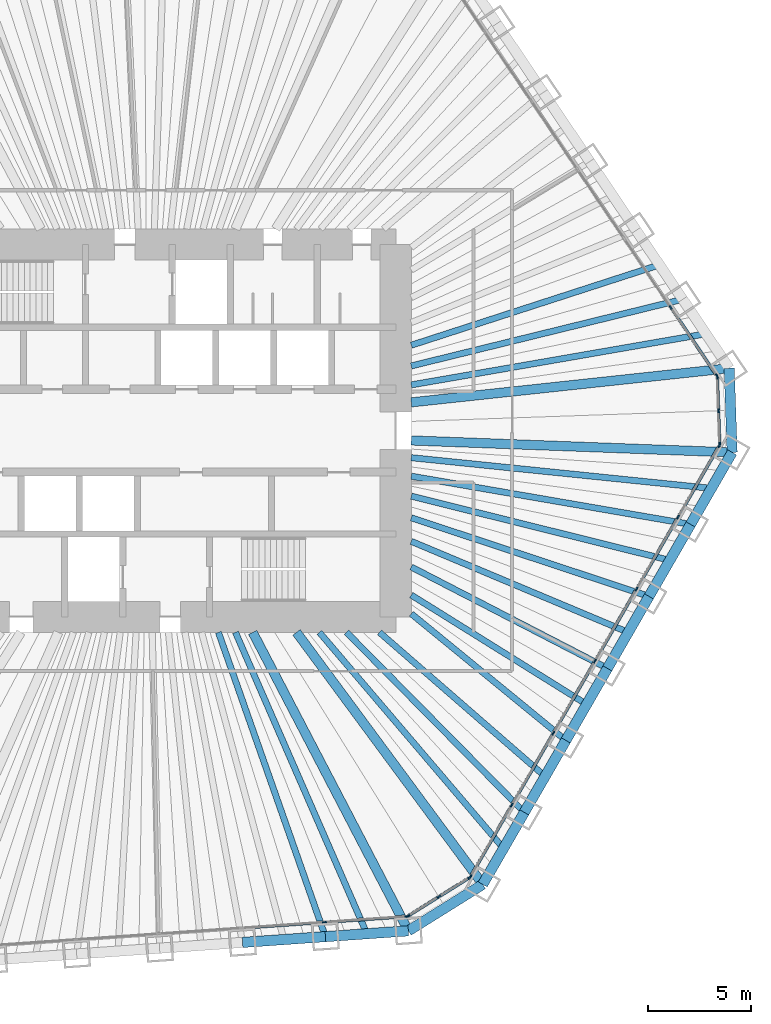
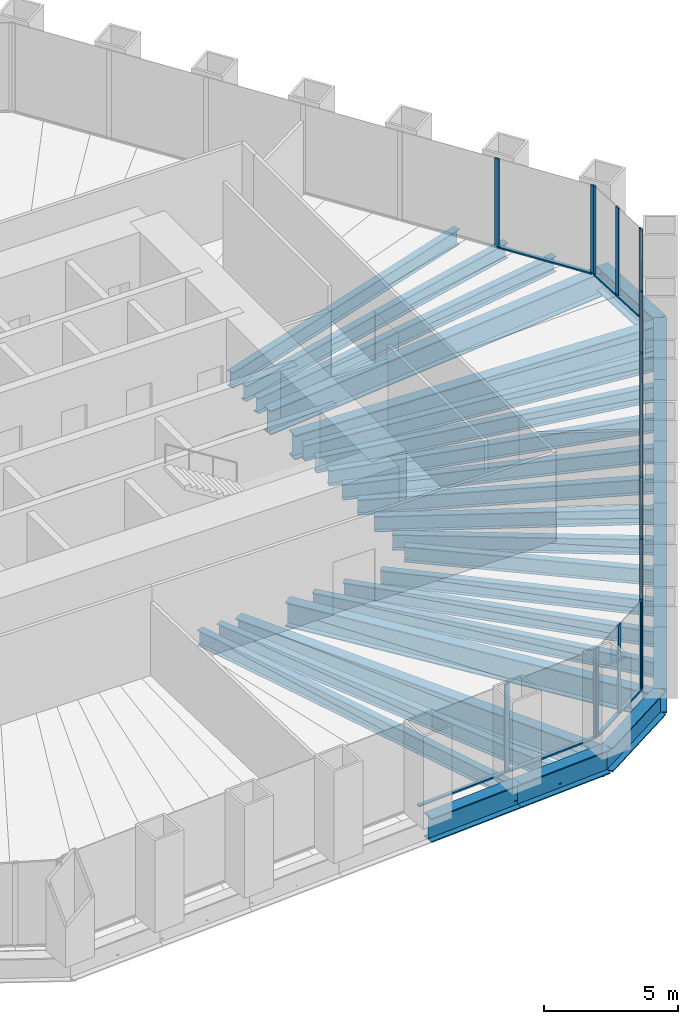
# One storey, part 4 of 13: 30 beams, 30 members, 5 elements without a shape of their own.
"""IFC4 building model written with IfcOpenShell, lengths in metres."""

from ifc_helpers import new_model, si_unit, direction, frame, origin, origin_2d, place, context, subcontext, project, spatial, rectangle, i_section, extrude, material, material_profile, profile_set, type_object, element, aggregate, save


model = new_model("IFC4")

# Units and contexts
model_context = context("Model", 3, precision=1e-05, world=origin(), true_north=direction((0.0, 1.0)))
body_context = subcontext(model_context, "Body", "Model", "MODEL_VIEW")
ifc_project = project(units=[si_unit("LENGTHUNIT", "METRE"), si_unit("AREAUNIT", "SQUARE_METRE"), si_unit("VOLUMEUNIT", "CUBIC_METRE"), si_unit("PLANEANGLEUNIT", "RADIAN"), si_unit("MASSUNIT", "GRAM", prefix="KILO")], contexts=[model_context])

# Site, building, storey
site_placement = place(None, origin())
site = spatial("IfcSite", under=ifc_project, at=site_placement, CompositionType="ELEMENT")
building_placement = place(site_placement, origin())
building = spatial("IfcBuilding", under=site, at=building_placement, Name="Qingtian Harvest Tower", CompositionType="ELEMENT")
storey_placement = place(building_placement, frame((0.0, 0.0, 145.0)))
storey = spatial("IfcBuildingStorey", under=building, at=storey_placement, Name="L30", CompositionType="ELEMENT", Elevation=145.0)

# Beams
ifc_material_1 = material(Name="Steel SM570MC", Category="steel")
ifc_material_profile_1 = material_profile(ifc_material_1, i_section(OverallWidth=0.449951171875, OverallDepth=1.10009765625, WebThickness=0.02197265625, FlangeThickness=0.044921875, at=origin_2d()), Name="H1100x450x22x45")
ifc_profile_set_1 = profile_set([ifc_material_profile_1], Name="Steel SM570MC")
beam_type_1 = type_object("IfcBeamType", Name="Corner floor beam FB8 H1100x450x22x45", PredefinedType="BEAM", material=ifc_profile_set_1)
beam_1_placement = place(storey_placement, frame((28.119384765625, 3.0185546875, -0.719970703125), z_axis=(-0.994287324052, -0.106736672374, 0.0), x_axis=(0.106736672374, -0.994287324052, 0.0)))
element("IfcBeam", 1, at=beam_1_placement, inside=storey, type_object=beam_type_1, Name="Floor beam FB8 NE6", PredefinedType="BEAM", context=body_context, shape_type="SweptSolid", body=[
    extrude(i_section(OverallWidth=0.449951171875, OverallDepth=1.10009765625, WebThickness=0.02197265625, FlangeThickness=0.044921875, at=origin_2d()), origin(), (0.0, 0.0, 1.0), 15.457763671875),
])
beam_2_placement = place(storey_placement, frame((28.261474609375, -1.049560546875, -0.719970703125), z_axis=(-0.999311425285, 0.03710357523, 0.0), x_axis=(-0.03710357523, -0.999311425285, 0.0)))
element("IfcBeam", 2, at=beam_2_placement, inside=storey, type_object=beam_type_1, Name="Floor beam FB8 SE0", PredefinedType="BEAM", context=body_context, shape_type="SweptSolid", body=[
    extrude(i_section(OverallWidth=0.449951171875, OverallDepth=1.10009765625, WebThickness=0.02197265625, FlangeThickness=0.044921875, at=origin_2d()), origin(), (0.0, 0.0, 1.0), 15.522216796875),
])
beam_3_placement = place(storey_placement, frame((16.204345703125, -21.933349609375, -0.719970703125), z_axis=(-0.594215666968, 0.804305751023, 0.0), x_axis=(-0.804305751023, -0.594215666968, 0.0)))
element("IfcBeam", 3, at=beam_3_placement, inside=storey, type_object=beam_type_1, Name="Floor beam FB8 SE6", PredefinedType="BEAM", context=body_context, shape_type="SweptSolid", body=[
    extrude(i_section(OverallWidth=0.449951171875, OverallDepth=1.10009765625, WebThickness=0.02197265625, FlangeThickness=0.044921875, at=origin_2d()), origin(), (0.0, 0.0, 1.0), 15.147705078125),
])
beam_4_placement = place(storey_placement, frame((12.610107421875, -24.17919921875, -0.719970703125), z_axis=(-0.462414751295, 0.886663745613, 0.0), x_axis=(-0.886663745613, -0.462414751295, 0.0)))
element("IfcBeam", 4, at=beam_4_placement, inside=storey, type_object=beam_type_1, Name="Floor beam FB8 S0", PredefinedType="BEAM", context=body_context, shape_type="SweptSolid", body=[
    extrude(i_section(OverallWidth=0.449951171875, OverallDepth=1.10009765625, WebThickness=0.02197265625, FlangeThickness=0.044921875, at=origin_2d()), origin(), (0.0, 0.0, 1.0), 16.273681640625),
])
ifc_material_2 = material(Name="Steel SN490B", Category="steel")
ifc_material_profile_2 = material_profile(ifc_material_2, i_section(OverallWidth=0.300048828125, OverallDepth=0.699951171875, WebThickness=0.012939453125, FlangeThickness=0.02392578125, at=origin_2d()), Name="H700x300x13x24")
ifc_profile_set_2 = profile_set([ifc_material_profile_2], Name="Steel SN490B")
beam_type_2 = type_object("IfcBeamType", Name="Floor beam FB2 H700x300x13x24", PredefinedType="BEAM", material=ifc_profile_set_2)
beam_5_placement = place(storey_placement, frame((25.8720703125, 6.3505859375, -0.52001953125), z_axis=(-0.971170997483, -0.2383839207, 0.0), x_axis=(0.2383839207, -0.971170997483, 0.0)))
element("IfcBeam", 5, at=beam_5_placement, inside=storey, type_object=beam_type_2, Name="Floor beam FB2 NE5", PredefinedType="BEAM", context=body_context, shape_type="SweptSolid", body=[
    extrude(i_section(OverallWidth=0.300048828125, OverallDepth=0.699951171875, WebThickness=0.012939453125, FlangeThickness=0.02392578125, at=origin_2d()), origin(), (0.0, 0.0, 1.0), 13.511474609375),
])
beam_6_placement = place(storey_placement, frame((26.251953125, -4.5302734375, -0.52001953125), z_axis=(-0.985433767107, 0.170059667895, 0.0), x_axis=(-0.170059667895, -0.985433767107, 0.0)))
element("IfcBeam", 6, at=beam_6_placement, inside=storey, type_object=beam_type_2, Name="Floor beam FB2 SE1", PredefinedType="BEAM", context=body_context, shape_type="SweptSolid", body=[
    extrude(i_section(OverallWidth=0.300048828125, OverallDepth=0.699951171875, WebThickness=0.012939453125, FlangeThickness=0.02392578125, at=origin_2d()), origin(), (0.0, 0.0, 1.0), 13.701416015625),
])
beam_7_placement = place(storey_placement, frame((24.242431640625, -8.010986328125, -0.52001953125), z_axis=(-0.949497047328, 0.31377596644, 0.0), x_axis=(-0.31377596644, -0.949497047328, 0.0)))
element("IfcBeam", 7, at=beam_7_placement, inside=storey, type_object=beam_type_2, Name="Floor beam FB2 SE2", PredefinedType="BEAM", context=body_context, shape_type="SweptSolid", body=[
    extrude(i_section(OverallWidth=0.300048828125, OverallDepth=0.699951171875, WebThickness=0.012939453125, FlangeThickness=0.02392578125, at=origin_2d()), origin(), (0.0, 0.0, 1.0), 12.103759765625),
])
beam_8_placement = place(storey_placement, frame((22.23291015625, -11.491455078125, -0.52001953125), z_axis=(-0.888354700773, 0.459157843899, 0.0), x_axis=(-0.459157843899, -0.888354700773, 0.0)))
element("IfcBeam", 8, at=beam_8_placement, inside=storey, type_object=beam_type_2, Name="Floor beam FB2 SE3", PredefinedType="BEAM", context=body_context, shape_type="SweptSolid", body=[
    extrude(i_section(OverallWidth=0.300048828125, OverallDepth=0.699951171875, WebThickness=0.012939453125, FlangeThickness=0.02392578125, at=origin_2d()), origin(), (0.0, 0.0, 1.0), 10.6748046875),
])
beam_9_placement = place(storey_placement, frame((20.223388671875, -14.97216796875, -0.52001953125), z_axis=(-0.773577716445, 0.633701441233, 0.0), x_axis=(-0.633701441233, -0.773577716445, 0.0)))
element("IfcBeam", 9, at=beam_9_placement, inside=storey, type_object=beam_type_2, Name="Floor beam FB2 SE4", PredefinedType="BEAM", context=body_context, shape_type="SweptSolid", body=[
    extrude(i_section(OverallWidth=0.300048828125, OverallDepth=0.699951171875, WebThickness=0.012939453125, FlangeThickness=0.02392578125, at=origin_2d()), origin(), (0.0, 0.0, 1.0), 9.660888671875),
])
beam_10_placement = place(storey_placement, frame((18.2138671875, -18.452880859375, -0.52001953125), z_axis=(-0.702479751847, 0.711703729262, 0.0), x_axis=(-0.711703729262, -0.702479751847, 0.0)))
element("IfcBeam", 10, at=beam_10_placement, inside=storey, type_object=beam_type_2, Name="Floor beam FB2 SE5", PredefinedType="BEAM", context=body_context, shape_type="SweptSolid", body=[
    extrude(i_section(OverallWidth=0.300048828125, OverallDepth=0.699951171875, WebThickness=0.012939453125, FlangeThickness=0.02392578125, at=origin_2d()), origin(), (0.0, 0.0, 1.0), 12.228271484375),
])
beam_11_placement = place(storey_placement, frame((8.600830078125, -24.459716796875, -0.52001953125), z_axis=(-0.331719146802, 0.943378189087, 0.0), x_axis=(-0.943378189087, -0.331719146802, 0.0)))
element("IfcBeam", 11, at=beam_11_placement, inside=storey, type_object=beam_type_2, Name="Floor beam FB2 S1", PredefinedType="BEAM", context=body_context, shape_type="SweptSolid", body=[
    extrude(i_section(OverallWidth=0.300048828125, OverallDepth=0.699951171875, WebThickness=0.012939453125, FlangeThickness=0.02392578125, at=origin_2d()), origin(), (0.0, 0.0, 1.0), 15.592529296875),
])
ifc_material_3 = material(Name="Steel SN490B", Category="steel")
ifc_material_profile_3 = material_profile(ifc_material_3, i_section(OverallWidth=0.300048828125, OverallDepth=0.699951171875, WebThickness=0.012939453125, FlangeThickness=0.02392578125, at=origin_2d()), Name="H700x300x13x24")
ifc_profile_set_3 = profile_set([ifc_material_profile_3], Name="Steel SN490B")
beam_type_3 = type_object("IfcBeamType", Name="Floor joist J2 H700x300x13x24", PredefinedType="JOIST", material=ifc_profile_set_3)
beam_12_placement = place(storey_placement, frame((24.748291015625, 8.016357421875, -0.52001953125), z_axis=(-0.951335907519, -0.308155790249, 0.0), x_axis=(0.308155790249, -0.951335907519, 0.0)))
element("IfcBeam", 12, at=beam_12_placement, inside=storey, type_object=beam_type_3, Name="Floor joist J2 NE4", PredefinedType="JOIST", context=body_context, shape_type="SweptSolid", body=[
    extrude(i_section(OverallWidth=0.300048828125, OverallDepth=0.699951171875, WebThickness=0.012939453125, FlangeThickness=0.02392578125, at=origin_2d()), origin(), (0.0, 0.0, 1.0), 12.612060546875),
])
beam_13_placement = place(storey_placement, frame((26.99560546875, 4.6845703125, -0.52001953125), z_axis=(-0.985273903188, -0.17098343691, 0.0), x_axis=(0.17098343691, -0.985273903188, 0.0)))
element("IfcBeam", 13, at=beam_13_placement, inside=storey, type_object=beam_type_3, Name="Floor joist J2 NE5", PredefinedType="JOIST", context=body_context, shape_type="SweptSolid", body=[
    extrude(i_section(OverallWidth=0.300048828125, OverallDepth=0.699951171875, WebThickness=0.012939453125, FlangeThickness=0.02392578125, at=origin_2d()), origin(), (0.0, 0.0, 1.0), 14.45849609375),
])
beam_14_placement = place(storey_placement, frame((27.2568359375, -2.7900390625, -0.52001953125), z_axis=(-0.994802418411, 0.101824104826, 0.0), x_axis=(-0.101824104826, -0.994802418411, 0.0)))
element("IfcBeam", 14, at=beam_14_placement, inside=storey, type_object=beam_type_3, Name="Floor joist J2 SE0", PredefinedType="JOIST", context=body_context, shape_type="SweptSolid", body=[
    extrude(i_section(OverallWidth=0.300048828125, OverallDepth=0.699951171875, WebThickness=0.012939453125, FlangeThickness=0.02392578125, at=origin_2d()), origin(), (0.0, 0.0, 1.0), 14.58251953125),
])
beam_15_placement = place(storey_placement, frame((25.247314453125, -6.2705078125, -0.52001953125), z_axis=(-0.970517179244, 0.241031958032, 0.0), x_axis=(-0.241031958032, -0.970517179244, 0.0)))
element("IfcBeam", 15, at=beam_15_placement, inside=storey, type_object=beam_type_3, Name="Floor joist J2 SE1", PredefinedType="JOIST", context=body_context, shape_type="SweptSolid", body=[
    extrude(i_section(OverallWidth=0.300048828125, OverallDepth=0.699951171875, WebThickness=0.012939453125, FlangeThickness=0.02392578125, at=origin_2d()), origin(), (0.0, 0.0, 1.0), 12.876953125),
])
beam_16_placement = place(storey_placement, frame((23.237548828125, -9.751220703125, -0.52001953125), z_axis=(-0.922104219626, 0.386941608189, 0.0), x_axis=(-0.386941608189, -0.922104219626, 0.0)))
element("IfcBeam", 16, at=beam_16_placement, inside=storey, type_object=beam_type_3, Name="Floor joist J2 SE2", PredefinedType="JOIST", context=body_context, shape_type="SweptSolid", body=[
    extrude(i_section(OverallWidth=0.300048828125, OverallDepth=0.699951171875, WebThickness=0.012939453125, FlangeThickness=0.02392578125, at=origin_2d()), origin(), (0.0, 0.0, 1.0), 11.37353515625),
])
beam_17_placement = place(storey_placement, frame((21.22802734375, -13.23193359375, -0.52001953125), z_axis=(-0.848631984892, 0.528983699389, 0.0), x_axis=(-0.528983699389, -0.848631984892, 0.0)))
element("IfcBeam", 17, at=beam_17_placement, inside=storey, type_object=beam_type_3, Name="Floor joist J2 SE3", PredefinedType="JOIST", context=body_context, shape_type="SweptSolid", body=[
    extrude(i_section(OverallWidth=0.300048828125, OverallDepth=0.699951171875, WebThickness=0.012939453125, FlangeThickness=0.02392578125, at=origin_2d()), origin(), (0.0, 0.0, 1.0), 9.990234375),
])
beam_18_placement = place(storey_placement, frame((19.218505859375, -16.71240234375, -0.52001953125), z_axis=(-0.754588679317, 0.656198083697, 0.0), x_axis=(-0.656198083697, -0.754588679317, 0.0)))
element("IfcBeam", 18, at=beam_18_placement, inside=storey, type_object=beam_type_3, Name="Floor joist J2 SE4", PredefinedType="JOIST", context=body_context, shape_type="SweptSolid", body=[
    extrude(i_section(OverallWidth=0.300048828125, OverallDepth=0.699951171875, WebThickness=0.012939453125, FlangeThickness=0.02392578125, at=origin_2d()), origin(), (0.0, 0.0, 1.0), 10.610107421875),
])
beam_19_placement = place(storey_placement, frame((17.208984375, -20.193115234375, -0.52001953125), z_axis=(-0.648631797865, 0.76110235238, 0.0), x_axis=(-0.76110235238, -0.648631797865, 0.0)))
element("IfcBeam", 19, at=beam_19_placement, inside=storey, type_object=beam_type_3, Name="Floor joist J2 SE5", PredefinedType="JOIST", context=body_context, shape_type="SweptSolid", body=[
    extrude(i_section(OverallWidth=0.300048828125, OverallDepth=0.699951171875, WebThickness=0.012939453125, FlangeThickness=0.02392578125, at=origin_2d()), origin(), (0.0, 0.0, 1.0), 13.720947265625),
])
beam_20_placement = place(storey_placement, frame((10.60546875, -24.3193359375, -0.52001953125), z_axis=(-0.399732363577, 0.916631898588, 0.0), x_axis=(-0.916631898588, -0.399732363577, 0.0)))
element("IfcBeam", 20, at=beam_20_placement, inside=storey, type_object=beam_type_3, Name="Floor joist J2 S0", PredefinedType="JOIST", context=body_context, shape_type="SweptSolid", body=[
    extrude(i_section(OverallWidth=0.300048828125, OverallDepth=0.699951171875, WebThickness=0.012939453125, FlangeThickness=0.02392578125, at=origin_2d()), origin(), (0.0, 0.0, 1.0), 15.89453125),
])

# Curtain wall, members
ifc_material_4 = material(Name="Bronze-anodised aluminium curtain wall", Category="aluminium")
curtain_wall_type = type_object("IfcCurtainWallType", Name="Curtain wall CW4 office", PredefinedType="USERDEFINED", material=ifc_material_4)
curtain_wall_1_placement = place(storey_placement, origin())
curtain_wall_1 = element("IfcCurtainWall", 21, at=curtain_wall_1_placement, inside=storey, type_object=curtain_wall_type, Name="Curtain wall CW4 L30 NE0-5", ObjectType="RECESSED CURTAIN WALL", PredefinedType="USERDEFINED")
ifc_material_5 = material(Name="Bronze-anodised aluminium mullion", Category="aluminium")
ifc_material_profile_4 = material_profile(ifc_material_5, rectangle(XDim=0.06494140625, YDim=0.199951171875, at=origin_2d()), Name="AL 65x200")
ifc_profile_set_4 = profile_set([ifc_material_profile_4], Name="Bronze-anodised aluminium mullion")
member_type_1 = type_object("IfcMemberType", Name="Mullion CWM 65x200", PredefinedType="MULLION", material=ifc_profile_set_4)
member_1_placement = place(storey_placement, frame((25.291748046875, 5.958984375, 0.0), z_axis=(0.0, 0.0, 1.0), x_axis=(0.829037572555, 0.559192903471, 0.0)))
member_1 = element("IfcMember", 22, at=member_1_placement, type_object=member_type_1, Name="CW4 mullion 6", PredefinedType="MULLION", context=body_context, shape_type="SweptSolid", body=[
    extrude(rectangle(XDim=0.06494140625, YDim=0.199951171875, at=origin_2d()), origin(), (0.0, 0.0, 1.0), 4.030029296875),
])
member_2_placement = place(storey_placement, frame((27.52099609375, 2.654052734375, 0.0), z_axis=(0.0, 0.0, 1.0), x_axis=(0.829037572555, 0.559192903471, 0.0)))
member_2 = element("IfcMember", 23, at=member_2_placement, type_object=member_type_1, Name="CW4 mullion 7", PredefinedType="MULLION", context=body_context, shape_type="SweptSolid", body=[
    extrude(rectangle(XDim=0.06494140625, YDim=0.199951171875, at=origin_2d()), origin(), (0.0, 0.0, 1.0), 4.030029296875),
])

curtain_wall_2_placement = place(storey_placement, origin())
curtain_wall_2 = element("IfcCurtainWall", 24, at=curtain_wall_2_placement, inside=storey, type_object=curtain_wall_type, Name="Curtain wall CW4 L30 NEC", ObjectType="RECESSED CURTAIN WALL", PredefinedType="USERDEFINED")
member_3_placement = place(storey_placement, frame((27.540283203125, 2.594482421875, 0.0), z_axis=(0.0, 0.0, 1.0), x_axis=(0.999390827019, 0.034899496703, 0.0)))
member_3 = element("IfcMember", 25, at=member_3_placement, type_object=member_type_1, Name="CW4 mullion 1", PredefinedType="MULLION", context=body_context, shape_type="SweptSolid", body=[
    extrude(rectangle(XDim=0.06494140625, YDim=0.199951171875, at=origin_2d()), origin(), (0.0, 0.0, 1.0), 4.030029296875),
])
member_4_placement = place(storey_placement, frame((27.59716796875, 0.963623046875, 0.0), z_axis=(0.0, 0.0, 1.0), x_axis=(0.999390827019, 0.034899496703, 0.0)))
member_4 = element("IfcMember", 26, at=member_4_placement, type_object=member_type_1, Name="CW4 mullion 2", PredefinedType="MULLION", context=body_context, shape_type="SweptSolid", body=[
    extrude(rectangle(XDim=0.06494140625, YDim=0.199951171875, at=origin_2d()), origin(), (0.0, 0.0, 1.0), 4.030029296875),
])
member_5_placement = place(storey_placement, frame((27.654052734375, -0.667236328125, 0.0), z_axis=(0.0, 0.0, 1.0), x_axis=(0.999390827019, 0.034899496703, 0.0)))
member_5 = element("IfcMember", 27, at=member_5_placement, type_object=member_type_1, Name="CW4 mullion 3", PredefinedType="MULLION", context=body_context, shape_type="SweptSolid", body=[
    extrude(rectangle(XDim=0.06494140625, YDim=0.199951171875, at=origin_2d()), origin(), (0.0, 0.0, 1.0), 4.030029296875),
])

curtain_wall_3_placement = place(storey_placement, origin())
curtain_wall_3 = element("IfcCurtainWall", 28, at=curtain_wall_3_placement, inside=storey, type_object=curtain_wall_type, Name="Curtain wall CW4 L30 SE0-5", ObjectType="RECESSED CURTAIN WALL", PredefinedType="USERDEFINED")
member_6_placement = place(storey_placement, frame((27.638916015625, -0.727783203125, 0.0), z_axis=(0.0, 0.0, 1.0), x_axis=(0.866025403784, -0.5, 0.0)))
member_6 = element("IfcMember", 29, at=member_6_placement, type_object=member_type_1, Name="CW4 mullion 1", PredefinedType="MULLION", context=body_context, shape_type="SweptSolid", body=[
    extrude(rectangle(XDim=0.06494140625, YDim=0.199951171875, at=origin_2d()), origin(), (0.0, 0.0, 1.0), 4.030029296875),
])
member_7_placement = place(storey_placement, frame((25.645751953125, -4.18017578125, 0.0), z_axis=(0.0, 0.0, 1.0), x_axis=(0.866025403784, -0.5, 0.0)))
member_7 = element("IfcMember", 30, at=member_7_placement, type_object=member_type_1, Name="CW4 mullion 2", PredefinedType="MULLION", context=body_context, shape_type="SweptSolid", body=[
    extrude(rectangle(XDim=0.06494140625, YDim=0.199951171875, at=origin_2d()), origin(), (0.0, 0.0, 1.0), 4.030029296875),
])
member_8_placement = place(storey_placement, frame((23.63623046875, -7.660888671875, 0.0), z_axis=(0.0, 0.0, 1.0), x_axis=(0.866025403784, -0.5, 0.0)))
member_8 = element("IfcMember", 31, at=member_8_placement, type_object=member_type_1, Name="CW4 mullion 3", PredefinedType="MULLION", context=body_context, shape_type="SweptSolid", body=[
    extrude(rectangle(XDim=0.06494140625, YDim=0.199951171875, at=origin_2d()), origin(), (0.0, 0.0, 1.0), 4.030029296875),
])
member_9_placement = place(storey_placement, frame((21.626708984375, -11.1416015625, 0.0), z_axis=(0.0, 0.0, 1.0), x_axis=(0.866025403784, -0.5, 0.0)))
member_9 = element("IfcMember", 32, at=member_9_placement, type_object=member_type_1, Name="CW4 mullion 4", PredefinedType="MULLION", context=body_context, shape_type="SweptSolid", body=[
    extrude(rectangle(XDim=0.06494140625, YDim=0.199951171875, at=origin_2d()), origin(), (0.0, 0.0, 1.0), 4.030029296875),
])
member_10_placement = place(storey_placement, frame((19.6171875, -14.6220703125, 0.0), z_axis=(0.0, 0.0, 1.0), x_axis=(0.866025403784, -0.5, 0.0)))
member_10 = element("IfcMember", 33, at=member_10_placement, type_object=member_type_1, Name="CW4 mullion 5", PredefinedType="MULLION", context=body_context, shape_type="SweptSolid", body=[
    extrude(rectangle(XDim=0.06494140625, YDim=0.199951171875, at=origin_2d()), origin(), (0.0, 0.0, 1.0), 4.030029296875),
])
member_11_placement = place(storey_placement, frame((17.607666015625, -18.102783203125, 0.0), z_axis=(0.0, 0.0, 1.0), x_axis=(0.866025403784, -0.5, 0.0)))
member_11 = element("IfcMember", 34, at=member_11_placement, type_object=member_type_1, Name="CW4 mullion 6", PredefinedType="MULLION", context=body_context, shape_type="SweptSolid", body=[
    extrude(rectangle(XDim=0.06494140625, YDim=0.199951171875, at=origin_2d()), origin(), (0.0, 0.0, 1.0), 4.030029296875),
])
member_12_placement = place(storey_placement, frame((15.6142578125, -21.55517578125, 0.0), z_axis=(0.0, 0.0, 1.0), x_axis=(0.866025403784, -0.5, 0.0)))
member_12 = element("IfcMember", 35, at=member_12_placement, type_object=member_type_1, Name="CW4 mullion 7", PredefinedType="MULLION", context=body_context, shape_type="SweptSolid", body=[
    extrude(rectangle(XDim=0.06494140625, YDim=0.199951171875, at=origin_2d()), origin(), (0.0, 0.0, 1.0), 4.030029296875),
])

curtain_wall_4_placement = place(storey_placement, origin())
curtain_wall_4 = element("IfcCurtainWall", 36, at=curtain_wall_4_placement, inside=storey, type_object=curtain_wall_type, Name="Curtain wall CW4 L30 SEC", ObjectType="RECESSED CURTAIN WALL", PredefinedType="USERDEFINED")
member_13_placement = place(storey_placement, frame((15.570556640625, -21.6005859375, 0.0), z_axis=(0.0, 0.0, 1.0), x_axis=(0.529919264233, -0.848048096156, 0.0)))
member_13 = element("IfcMember", 37, at=member_13_placement, type_object=member_type_1, Name="CW4 mullion 1", PredefinedType="MULLION", context=body_context, shape_type="SweptSolid", body=[
    extrude(rectangle(XDim=0.06494140625, YDim=0.199951171875, at=origin_2d()), origin(), (0.0, 0.0, 1.0), 4.030029296875),
])
member_14_placement = place(storey_placement, frame((14.07958984375, -22.5322265625, 0.0), z_axis=(0.0, 0.0, 1.0), x_axis=(0.529919264233, -0.848048096156, 0.0)))
member_14 = element("IfcMember", 38, at=member_14_placement, type_object=member_type_1, Name="CW4 mullion 2", PredefinedType="MULLION", context=body_context, shape_type="SweptSolid", body=[
    extrude(rectangle(XDim=0.06494140625, YDim=0.199951171875, at=origin_2d()), origin(), (0.0, 0.0, 1.0), 4.030029296875),
])
member_15_placement = place(storey_placement, frame((12.5888671875, -23.4638671875, 0.0), z_axis=(0.0, 0.0, 1.0), x_axis=(0.529919264233, -0.848048096156, 0.0)))
member_15 = element("IfcMember", 39, at=member_15_placement, type_object=member_type_1, Name="CW4 mullion 3", PredefinedType="MULLION", context=body_context, shape_type="SweptSolid", body=[
    extrude(rectangle(XDim=0.06494140625, YDim=0.199951171875, at=origin_2d()), origin(), (0.0, 0.0, 1.0), 4.030029296875),
])

curtain_wall_5_placement = place(storey_placement, origin())
curtain_wall_5 = element("IfcCurtainWall", 40, at=curtain_wall_5_placement, inside=storey, type_object=curtain_wall_type, Name="Curtain wall CW4 L30 S0-5", ObjectType="RECESSED CURTAIN WALL", PredefinedType="USERDEFINED")
member_16_placement = place(storey_placement, frame((12.52880859375, -23.483154296875, 0.0), z_axis=(0.0, 0.0, 1.0), x_axis=(0.069756473744, -0.99756405026, 0.0)))
member_16 = element("IfcMember", 41, at=member_16_placement, type_object=member_type_1, Name="CW4 mullion 1", PredefinedType="MULLION", context=body_context, shape_type="SweptSolid", body=[
    extrude(rectangle(XDim=0.06494140625, YDim=0.199951171875, at=origin_2d()), origin(), (0.0, 0.0, 1.0), 4.030029296875),
])
member_17_placement = place(storey_placement, frame((8.552001953125, -23.76123046875, 0.0), z_axis=(0.0, 0.0, 1.0), x_axis=(0.069756473744, -0.99756405026, 0.0)))
member_17 = element("IfcMember", 42, at=member_17_placement, type_object=member_type_1, Name="CW4 mullion 2", PredefinedType="MULLION", context=body_context, shape_type="SweptSolid", body=[
    extrude(rectangle(XDim=0.06494140625, YDim=0.199951171875, at=origin_2d()), origin(), (0.0, 0.0, 1.0), 4.030029296875),
])

# Beams
ifc_material_6 = material(Name="Steel SM570MC", Category="steel")
ifc_material_profile_5 = material_profile(ifc_material_6, i_section(OverallWidth=0.5, OverallDepth=1.10009765625, WebThickness=0.02490234375, FlangeThickness=0.050048828125, at=origin_2d()), Name="H1100x500x25x50")
ifc_profile_set_5 = profile_set([ifc_material_profile_5], Name="Steel SM570MC")
beam_type_4 = type_object("IfcBeamType", Name="Spandrel beam SB2 H1100x500x25x50", PredefinedType="SPANDREL", material=ifc_profile_set_5)
beam_21_placement = place(storey_placement, frame((28.119384765625, 3.0185546875, -0.550048828125), z_axis=(0.03490639867, -0.999390585973, 0.0), x_axis=(0.999390585973, 0.03490639867, 0.0)))
element("IfcBeam", 43, at=beam_21_placement, inside=storey, type_object=beam_type_4, Name="Spandrel SB2 NEC", PredefinedType="SPANDREL", context=body_context, shape_type="SweptSolid", body=[
    extrude(i_section(OverallWidth=0.5, OverallDepth=1.10009765625, WebThickness=0.02490234375, FlangeThickness=0.050048828125, at=origin_2d()), origin(), (0.0, 0.0, 1.0), 4.070556640625),
])
for number, where, z_axis, x_axis, name in (
    (44, (28.261474609375, -1.049560546875, -0.550048828125), (-0.499987116613, -0.866032841884, 0.0), (0.866032841884, -0.499987116613, 0.0), "Spandrel SB2 SE0"),
    (45, (26.251953125, -4.5302734375, -0.550048828125), (-0.499987116613, -0.866032841884, 0.0), (0.866032841884, -0.499987116613, 0.0), "Spandrel SB2 SE1"),
    (46, (24.242431640625, -8.010986328125, -0.550048828125), (-0.500013420409, -0.866017655369, 0.0), (0.866017655369, -0.500013420409, 0.0), "Spandrel SB2 SE2"),
    (47, (22.23291015625, -11.491455078125, -0.550048828125), (-0.499987116613, -0.866032841884, 0.0), (0.866032841884, -0.499987116613, 0.0), "Spandrel SB2 SE3"),
    (48, (20.223388671875, -14.97216796875, -0.550048828125), (-0.499987116613, -0.866032841884, 0.0), (0.866032841884, -0.499987116613, 0.0), "Spandrel SB2 SE4"),
    (49, (18.2138671875, -18.452880859375, -0.550048828125), (-0.500013420409, -0.866017655369, 0.0), (0.866017655369, -0.500013420409, 0.0), "Spandrel SB2 SE5"),
):
    element("IfcBeam", number, at=place(storey_placement, frame(where, z_axis=z_axis, x_axis=x_axis)), inside=storey, type_object=beam_type_4, Name=name, PredefinedType="SPANDREL", context=body_context, shape_type="SweptSolid", body=[
        extrude(i_section(OverallWidth=0.5, OverallDepth=1.10009765625, WebThickness=0.02490234375, FlangeThickness=0.050048828125, at=origin_2d()), origin(), (0.0, 0.0, 1.0), 4.01904296875),
    ])
beam_22_placement = place(storey_placement, frame((16.204345703125, -21.933349609375, -0.550048828125), z_axis=(-0.848056550838, -0.529905733675, 0.0), x_axis=(0.529905733675, -0.848056550838, 0.0)))
element("IfcBeam", 50, at=beam_22_placement, inside=storey, type_object=beam_type_4, Name="Spandrel SB2 SEC", PredefinedType="SPANDREL", context=body_context, shape_type="SweptSolid", body=[
    extrude(i_section(OverallWidth=0.5, OverallDepth=1.10009765625, WebThickness=0.02490234375, FlangeThickness=0.050048828125, at=origin_2d()), origin(), (0.0, 0.0, 1.0), 4.23828125),
])
for number, where, z_axis, x_axis, name in (
    (51, (12.610107421875, -24.17919921875, -0.550048828125), (-0.997561251588, -0.069796485086, 0.0), (0.069796485086, -0.997561251588, 0.0), "Spandrel SB2 S0"),
    (52, (8.600830078125, -24.459716796875, -0.550048828125), (-0.997565479251, -0.069736035208, 0.0), (0.069736035208, -0.997565479251, 0.0), "Spandrel SB2 S1"),
):
    element("IfcBeam", number, at=place(storey_placement, frame(where, z_axis=z_axis, x_axis=x_axis)), inside=storey, type_object=beam_type_4, Name=name, PredefinedType="SPANDREL", context=body_context, shape_type="SweptSolid", body=[
        extrude(i_section(OverallWidth=0.5, OverallDepth=1.10009765625, WebThickness=0.02490234375, FlangeThickness=0.050048828125, at=origin_2d()), origin(), (0.0, 0.0, 1.0), 4.01904296875),
    ])

# Member
ifc_material_7 = material(Name="Bronze-anodised aluminium transom", Category="aluminium")
ifc_material_profile_6 = material_profile(ifc_material_7, rectangle(XDim=0.14990234375, YDim=0.06494140625, at=origin_2d()), Name="AL 65x150")
ifc_profile_set_6 = profile_set([ifc_material_profile_6], Name="Bronze-anodised aluminium transom")
member_type_2 = type_object("IfcMemberType", Name="Transom CWT 65x150", PredefinedType="USERDEFINED", material=ifc_profile_set_6)
member_18_placement = place(storey_placement, frame((25.309814453125, 5.93212890625, 0.032470703125), z_axis=(0.559174507936, -0.829049980203, 0.0), x_axis=(0.829049980203, 0.559174507936, 0.0)))
member_18 = element("IfcMember", 53, at=member_18_placement, type_object=member_type_2, Name="CW4 transom 6.1", ObjectType="TRANSOM", PredefinedType="USERDEFINED", context=body_context, shape_type="SweptSolid", body=[
    extrude(rectangle(XDim=0.14990234375, YDim=0.06494140625, at=origin_2d()), origin(), (0.0, 0.0, 1.0), 3.921630859375),
])

aggregate(curtain_wall_1, [member_1, member_2, member_18])

member_19_placement = place(storey_placement, frame((27.541259765625, 2.56201171875, 0.032470703125), z_axis=(0.034902326647, -0.999390728191, 0.0), x_axis=(0.999390728191, 0.034902326647, 0.0)))
member_19 = element("IfcMember", 54, at=member_19_placement, type_object=member_type_2, Name="CW4 transom 1.1", ObjectType="TRANSOM", PredefinedType="USERDEFINED", context=body_context, shape_type="SweptSolid", body=[
    extrude(rectangle(XDim=0.14990234375, YDim=0.06494140625, at=origin_2d()), origin(), (0.0, 0.0, 1.0), 1.56689453125),
])

member_20_placement = place(storey_placement, frame((27.598388671875, 0.93115234375, 0.032470703125), z_axis=(0.034902326647, -0.999390728191, 0.0), x_axis=(0.999390728191, 0.034902326647, 0.0)))
member_20 = element("IfcMember", 55, at=member_20_placement, type_object=member_type_2, Name="CW4 transom 2.1", ObjectType="TRANSOM", PredefinedType="USERDEFINED", context=body_context, shape_type="SweptSolid", body=[
    extrude(rectangle(XDim=0.14990234375, YDim=0.06494140625, at=origin_2d()), origin(), (0.0, 0.0, 1.0), 1.56689453125),
])

aggregate(curtain_wall_2, [member_3, member_4, member_5, member_19, member_20])

member_21_placement = place(storey_placement, frame((27.622802734375, -0.755859375, 0.032470703125), z_axis=(-0.499975738995, -0.866039410429, 0.0), x_axis=(0.866039410429, -0.499975738995, 0.0)))
member_21 = element("IfcMember", 56, at=member_21_placement, type_object=member_type_2, Name="CW4 transom 1.1", ObjectType="TRANSOM", PredefinedType="USERDEFINED", context=body_context, shape_type="SweptSolid", body=[
    extrude(rectangle(XDim=0.14990234375, YDim=0.06494140625, at=origin_2d()), origin(), (0.0, 0.0, 1.0), 3.921630859375),
])

member_22_placement = place(storey_placement, frame((25.62939453125, -4.20849609375, 0.032470703125), z_axis=(-0.500003941941, -0.866023127892, 0.0), x_axis=(0.866023127892, -0.500003941941, 0.0)))
member_22 = element("IfcMember", 57, at=member_22_placement, type_object=member_type_2, Name="CW4 transom 2.1", ObjectType="TRANSOM", PredefinedType="USERDEFINED", context=body_context, shape_type="SweptSolid", body=[
    extrude(rectangle(XDim=0.14990234375, YDim=0.06494140625, at=origin_2d()), origin(), (0.0, 0.0, 1.0), 3.9541015625),
])

member_23_placement = place(storey_placement, frame((23.619873046875, -7.68896484375, 0.032470703125), z_axis=(-0.500003941941, -0.866023127892, 0.0), x_axis=(0.866023127892, -0.500003941941, 0.0)))
member_23 = element("IfcMember", 58, at=member_23_placement, type_object=member_type_2, Name="CW4 transom 3.1", ObjectType="TRANSOM", PredefinedType="USERDEFINED", context=body_context, shape_type="SweptSolid", body=[
    extrude(rectangle(XDim=0.14990234375, YDim=0.06494140625, at=origin_2d()), origin(), (0.0, 0.0, 1.0), 3.9541015625),
])

member_24_placement = place(storey_placement, frame((21.6103515625, -11.169677734375, 0.032470703125), z_axis=(-0.500003941941, -0.866023127892, 0.0), x_axis=(0.866023127892, -0.500003941941, 0.0)))
member_24 = element("IfcMember", 59, at=member_24_placement, type_object=member_type_2, Name="CW4 transom 4.1", ObjectType="TRANSOM", PredefinedType="USERDEFINED", context=body_context, shape_type="SweptSolid", body=[
    extrude(rectangle(XDim=0.14990234375, YDim=0.06494140625, at=origin_2d()), origin(), (0.0, 0.0, 1.0), 3.9541015625),
])

member_25_placement = place(storey_placement, frame((19.600830078125, -14.650390625, 0.032470703125), z_axis=(-0.500003941941, -0.866023127892, 0.0), x_axis=(0.866023127892, -0.500003941941, 0.0)))
member_25 = element("IfcMember", 60, at=member_25_placement, type_object=member_type_2, Name="CW4 transom 5.1", ObjectType="TRANSOM", PredefinedType="USERDEFINED", context=body_context, shape_type="SweptSolid", body=[
    extrude(rectangle(XDim=0.14990234375, YDim=0.06494140625, at=origin_2d()), origin(), (0.0, 0.0, 1.0), 3.9541015625),
])

member_26_placement = place(storey_placement, frame((17.59130859375, -18.130859375, 0.032470703125), z_axis=(-0.499975738995, -0.866039410429, 0.0), x_axis=(0.866039410429, -0.499975738995, 0.0)))
member_26 = element("IfcMember", 61, at=member_26_placement, type_object=member_type_2, Name="CW4 transom 6.1", ObjectType="TRANSOM", PredefinedType="USERDEFINED", context=body_context, shape_type="SweptSolid", body=[
    extrude(rectangle(XDim=0.14990234375, YDim=0.06494140625, at=origin_2d()), origin(), (0.0, 0.0, 1.0), 3.921630859375),
])

aggregate(curtain_wall_3, [member_6, member_7, member_8, member_9, member_10, member_11, member_12, member_21, member_22, member_23, member_24, member_25, member_26])

member_27_placement = place(storey_placement, frame((15.54296875, -21.617919921875, 0.032470703125), z_axis=(-0.848103609743, -0.529830413568, 0.0), x_axis=(0.529830413568, -0.848103609743, 0.0)))
member_27 = element("IfcMember", 62, at=member_27_placement, type_object=member_type_2, Name="CW4 transom 1.1", ObjectType="TRANSOM", PredefinedType="USERDEFINED", context=body_context, shape_type="SweptSolid", body=[
    extrude(rectangle(XDim=0.14990234375, YDim=0.06494140625, at=origin_2d()), origin(), (0.0, 0.0, 1.0), 1.69287109375),
])

member_28_placement = place(storey_placement, frame((14.052001953125, -22.54931640625, 0.032470703125), z_axis=(-0.847998304005, -0.529998940003, 0.0), x_axis=(0.529998940003, -0.847998304005, 0.0)))
member_28 = element("IfcMember", 63, at=member_28_placement, type_object=member_type_2, Name="CW4 transom 2.1", ObjectType="TRANSOM", PredefinedType="USERDEFINED", context=body_context, shape_type="SweptSolid", body=[
    extrude(rectangle(XDim=0.14990234375, YDim=0.06494140625, at=origin_2d()), origin(), (0.0, 0.0, 1.0), 1.69287109375),
])

aggregate(curtain_wall_4, [member_13, member_14, member_15, member_27, member_28])

member_29_placement = place(storey_placement, frame((12.496337890625, -23.485595703125, 0.032470703125), z_axis=(-0.99756594446, -0.069729380128, 0.0), x_axis=(0.069729380128, -0.99756594446, 0.0)))
member_29 = element("IfcMember", 64, at=member_29_placement, type_object=member_type_2, Name="CW4 transom 1.1", ObjectType="TRANSOM", PredefinedType="USERDEFINED", context=body_context, shape_type="SweptSolid", body=[
    extrude(rectangle(XDim=0.14990234375, YDim=0.06494140625, at=origin_2d()), origin(), (0.0, 0.0, 1.0), 3.92138671875),
])

member_30_placement = place(storey_placement, frame((8.51953125, -23.763671875, 0.032470703125), z_axis=(-0.997567218353, -0.069711153102, 0.0), x_axis=(0.069711153102, -0.997567218353, 0.0)))
member_30 = element("IfcMember", 65, at=member_30_placement, type_object=member_type_2, Name="CW4 transom 2.1", ObjectType="TRANSOM", PredefinedType="USERDEFINED", context=body_context, shape_type="SweptSolid", body=[
    extrude(rectangle(XDim=0.14990234375, YDim=0.06494140625, at=origin_2d()), origin(), (0.0, 0.0, 1.0), 3.953857421875),
])

aggregate(curtain_wall_5, [member_16, member_17, member_29, member_30])

save(model, "model.ifc")
